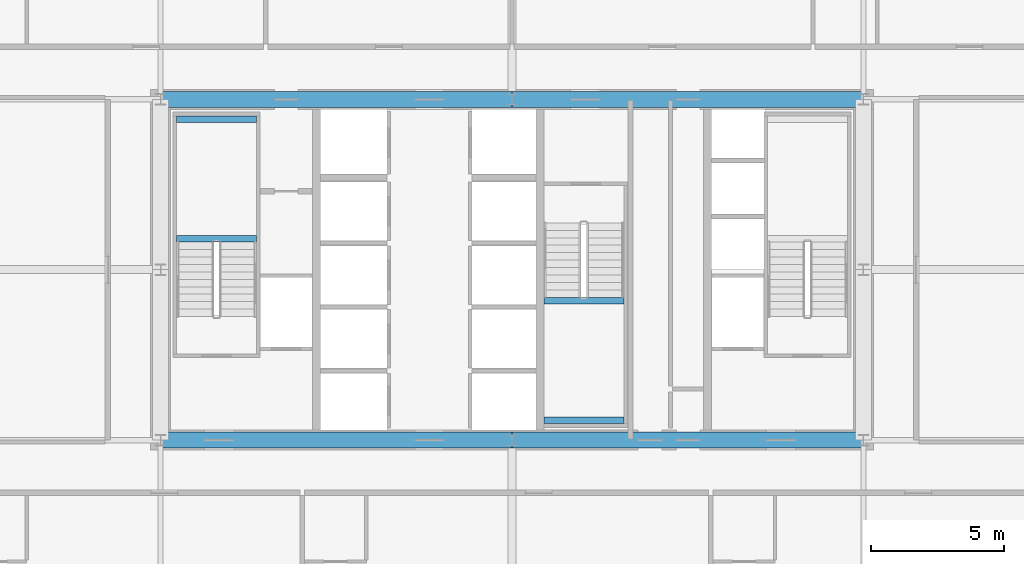
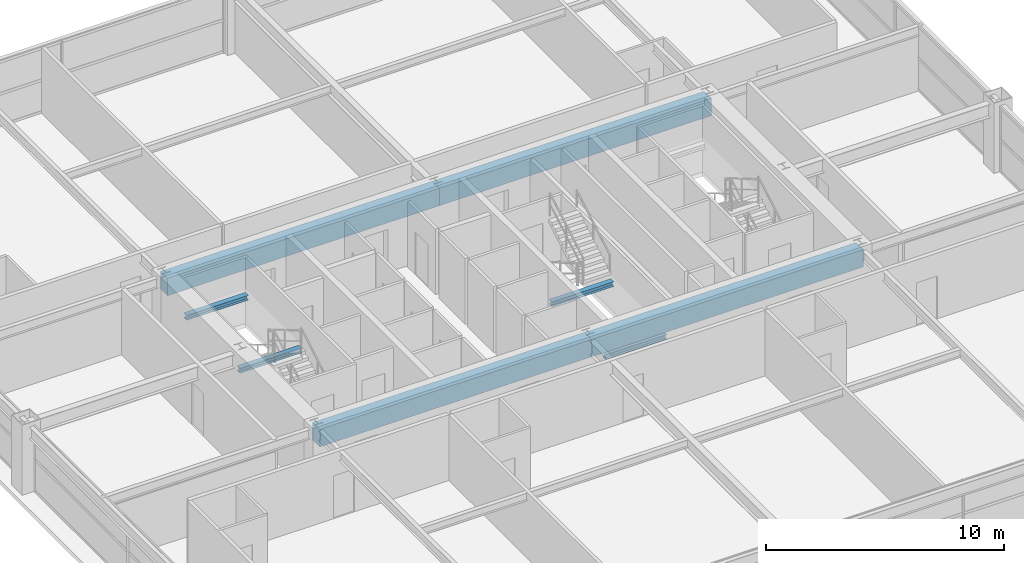
# One storey, part 12 of 37: 8 beams.
"""IFC4 building model written with IfcOpenShell, lengths in metres."""

from ifc_helpers import new_model, si_unit, direction, frame, origin, origin_2d, place, context, subcontext, project, spatial, rectangle, i_section, extrude, source, transform, mapped, material, material_profile, profile_set, type_object, element, save


model = new_model("IFC4")

# Units and contexts
model_context = context("Model", 3, precision=1e-05, world=origin(), true_north=direction((0.0, 1.0)))
body_context = subcontext(model_context, "Body", "Model", "MODEL_VIEW")
ifc_project = project(units=[si_unit("LENGTHUNIT", "METRE"), si_unit("AREAUNIT", "SQUARE_METRE"), si_unit("VOLUMEUNIT", "CUBIC_METRE"), si_unit("PLANEANGLEUNIT", "RADIAN"), si_unit("MASSUNIT", "GRAM", prefix="KILO"), si_unit("THERMODYNAMICTEMPERATUREUNIT", "KELVIN"), si_unit("POWERUNIT", "WATT")], contexts=[model_context])

# Site, building, storey
site_placement = place(None, origin())
site = spatial("IfcSite", under=ifc_project, at=site_placement, CompositionType="ELEMENT")
building_placement = place(site_placement, origin())
building = spatial("IfcBuilding", under=site, at=building_placement, Name="Yuzanri Waterfront Tower", CompositionType="ELEMENT")
storey_placement = place(building_placement, frame((0.0, 0.0, 104.60009765625)))
storey = spatial("IfcBuildingStorey", under=building, at=storey_placement, Name="L27", CompositionType="ELEMENT", Elevation=104.60009765625)

# Beams
ifc_material_1 = material(Name="Concrete C60", Category="concrete")
ifc_material_profile_1 = material_profile(ifc_material_1, rectangle(XDim=0.60009765625, YDim=0.89990234375, at=origin_2d()), Name="RC 600x900")
ifc_profile_set_1 = profile_set([ifc_material_profile_1], Name="Concrete C60")
beam_type_1 = type_object("IfcBeamType", Name="Core Coupling Lintel Concrete C60 600x900", PredefinedType="LINTEL", material=ifc_profile_set_1)
shared_shape_1 = source(origin(), body_context, "Body", "SweptSolid", [
    extrude(rectangle(XDim=0.60009765625, YDim=0.89990234375, at=origin_2d()), origin(), (0.0, 0.0, 1.0), 13.199951171875),
])
for number, where, z_axis, x_axis, name in (
    (1, (23.800048828125, 19.39990234375, 2.929931640625), (1.0, 0.0, 0.0), (0.0, 1.0, 0.0), "L27 Core Tie Beam CS1"),
    (2, (37.0, 19.39990234375, 2.929931640625), (1.0, 0.0, 0.0), (0.0, 1.0, 0.0), "L27 Core Tie Beam CS2"),
    (3, (23.800048828125, 32.199951171875, 2.929931640625), (1.0, 0.0, 0.0), (0.0, 1.0, 0.0), "L27 Core Tie Beam CN1"),
    (4, (37.0, 32.199951171875, 2.929931640625), (1.0, 0.0, 0.0), (0.0, 1.0, 0.0), "L27 Core Tie Beam CN2"),
):
    element("IfcBeam", number, at=place(storey_placement, frame(where, z_axis=z_axis, x_axis=x_axis)), inside=storey, type_object=beam_type_1, Name=name, PredefinedType="LINTEL", context=body_context, shape_type="MappedRepresentation", body=[
        mapped(shared_shape_1, transform((0.0, 0.0, 0.0), scale=1.0)),
    ])
ifc_material_2 = material(Name="Steel Q355B", Category="steel")
ifc_material_profile_2 = material_profile(ifc_material_2, i_section(OverallWidth=0.25, OverallDepth=0.25, WebThickness=0.009033203125, FlangeThickness=0.013916015625, at=origin_2d()), Name="HW 250x250x9x14")
ifc_profile_set_2 = profile_set([ifc_material_profile_2], Name="Steel Q355B")
beam_type_2 = type_object("IfcBeamType", Name="Stair Landing Support Beam Q355B HW 250x250", PredefinedType="BEAM", material=ifc_profile_set_2)
shared_shape_2 = source(origin(), body_context, "Body", "SweptSolid", [
    extrude(i_section(OverallWidth=0.25, OverallDepth=0.25, WebThickness=0.009033203125, FlangeThickness=0.013916015625, at=origin_2d()), origin(), (0.0, 0.0, 1.0), 3.0),
])
for number, where, z_axis, x_axis, name in (
    (5, (24.39990234375, 26.969970703125, 1.474853515625), (1.0, 0.0, 0.0), (0.0, 1.0, 0.0), "L27 Stair Landing Support Beam ST-01-L27-L1-1"),
    (6, (24.39990234375, 31.449951171875, 1.474853515625), (1.0, 0.0, 0.0), (0.0, 1.0, 0.0), "L27 Stair Landing Support Beam ST-01-L27-L1-2"),
    (7, (38.199951171875, 20.14990234375, 1.474853515625), (1.0, 0.0, 0.0), (0.0, 1.0, 0.0), "L27 Stair Landing Support Beam ST-03-L27-L1-1"),
    (8, (38.199951171875, 24.6298828125, 1.474853515625), (1.0, 0.0, 0.0), (0.0, 1.0, 0.0), "L27 Stair Landing Support Beam ST-03-L27-L1-2"),
):
    element("IfcBeam", number, at=place(storey_placement, frame(where, z_axis=z_axis, x_axis=x_axis)), inside=storey, type_object=beam_type_2, Name=name, PredefinedType="BEAM", context=body_context, shape_type="MappedRepresentation", body=[
        mapped(shared_shape_2, transform((0.0, 0.0, 0.0), scale=1.0)),
    ])

save(model, "model.ifc")
